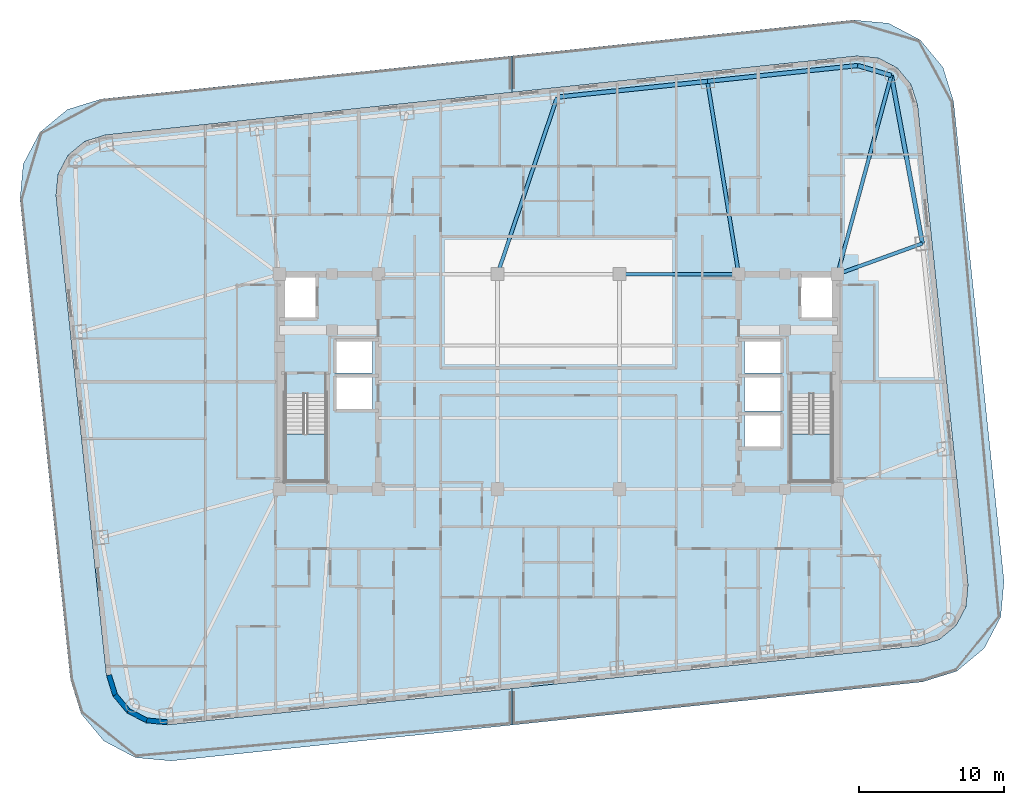
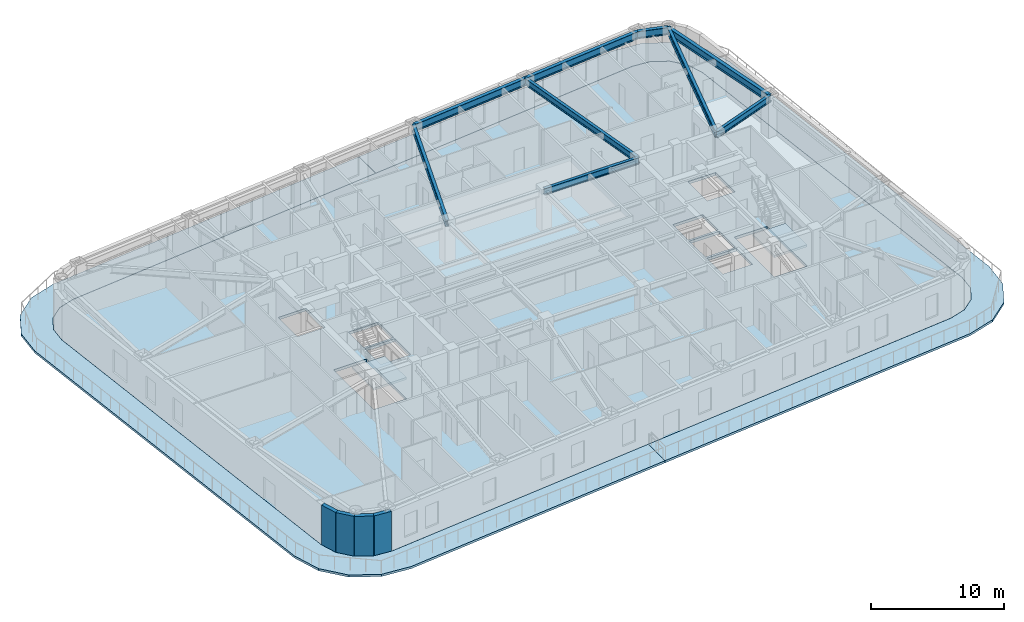
# One storey, part 2 of 15: 9 beams, 5 slabs, 4 walls, 2 elements without a shape of their own.
"""IFC4 building model written with IfcOpenShell, lengths in metres."""

from ifc_helpers import new_model, si_unit, direction, frame, frame_2d, origin, origin_2d, place, context, subcontext, project, spatial, polyline, rectangle, i_section, outline, extrude, material, layer, layer_set, material_profile, profile_set, type_object, element, aggregate, save


model = new_model("IFC4")

# Units and contexts
model_context = context("Model", 3, precision=1e-05, world=origin(), true_north=direction((0.0, 1.0)))
body_context = subcontext(model_context, "Body", "Model", "MODEL_VIEW")
ifc_project = project(units=[si_unit("LENGTHUNIT", "METRE"), si_unit("AREAUNIT", "SQUARE_METRE"), si_unit("VOLUMEUNIT", "CUBIC_METRE"), si_unit("PLANEANGLEUNIT", "RADIAN"), si_unit("MASSUNIT", "GRAM", prefix="KILO")], contexts=[model_context])

# Site, building, storey
site_placement = place(None, origin())
site = spatial("IfcSite", under=ifc_project, at=site_placement, CompositionType="ELEMENT")
building_placement = place(site_placement, origin())
building = spatial("IfcBuilding", under=site, at=building_placement, Name="Voryun Gate Residences", CompositionType="ELEMENT")
storey_placement = place(building_placement, frame((0.0, 0.0, 171.60009765625)))
storey = spatial("IfcBuildingStorey", under=building, at=storey_placement, Name="L42", CompositionType="ELEMENT", Elevation=171.60009765625)

# Beams
ifc_material_1 = material(Name="Steel SM355", Category="steel")
ifc_material_profile_1 = material_profile(ifc_material_1, i_section(OverallWidth=0.300048828125, OverallDepth=0.679931640625, WebThickness=0.013916015625, FlangeThickness=0.02490234375, FilletRadius=0.01806640625, at=origin_2d()), Name="H-680x300x14x25")
ifc_profile_set_1 = profile_set([ifc_material_profile_1], Name="Steel SM355")
beam_type_1 = type_object("IfcBeamType", Name="BM_EXO_SPANDREL_M", PredefinedType="SPANDREL", material=ifc_profile_set_1)
beam_1_placement = place(storey_placement, frame((25.047119140625, 9.51806640625, 3.309814453125), z_axis=(-0.182267768769, 0.983248931079, 0.0), x_axis=(-0.983248931079, -0.182267768769, 0.0)))
element("IfcBeam", 1, at=beam_1_placement, inside=storey, type_object=beam_type_1, Name="BM-L42-SPAND-09", PredefinedType="SPANDREL", context=body_context, shape_type="SweptSolid", body=[
    extrude(i_section(OverallWidth=0.300048828125, OverallDepth=0.679931640625, WebThickness=0.013916015625, FlangeThickness=0.02490234375, FilletRadius=0.01806640625, at=origin_2d()), origin(), (0.0, 0.0, 1.0), 11.753662109375),
])
beam_2_placement = place(storey_placement, frame((22.90478515625, 21.074951171875, 3.309814453125), z_axis=(-0.958843048967, 0.283936625758, 0.0), x_axis=(-0.283936625758, -0.958843048967, 0.0)))
element("IfcBeam", 2, at=beam_2_placement, inside=storey, type_object=beam_type_1, Name="BM-L42-SPAND-10", PredefinedType="SPANDREL", context=body_context, shape_type="SweptSolid", body=[
    extrude(i_section(OverallWidth=0.300048828125, OverallDepth=0.679931640625, WebThickness=0.013916015625, FlangeThickness=0.02490234375, FilletRadius=0.01806640625, at=origin_2d()), origin(), (0.0, 0.0, 1.0), 2.410888671875),
])
for number, where, z_axis, x_axis, name in (
    (3, (20.593017578125, 21.759521484375, 3.309814453125), (-0.994521263116, -0.104534478571, 0.0), (0.104534478571, -0.994521263116, 0.0), "BM-L42-SPAND-11"),
    (4, (10.25, 20.67236328125, 3.309814453125), (-0.99452370336, -0.10451125994, 0.0), (0.10451125994, -0.99452370336, 0.0), "BM-L42-SPAND-12"),
):
    element("IfcBeam", number, at=place(storey_placement, frame(where, z_axis=z_axis, x_axis=x_axis)), inside=storey, type_object=beam_type_1, Name=name, PredefinedType="SPANDREL", context=body_context, shape_type="SweptSolid", body=[
        extrude(i_section(OverallWidth=0.300048828125, OverallDepth=0.679931640625, WebThickness=0.013916015625, FlangeThickness=0.02490234375, FilletRadius=0.01806640625, at=origin_2d()), origin(), (0.0, 0.0, 1.0), 10.39990234375),
    ])
ifc_material_2 = material(Name="Steel SM355", Category="steel")
ifc_material_profile_2 = material_profile(ifc_material_2, i_section(OverallWidth=0.25, OverallDepth=0.60009765625, WebThickness=0.011962890625, FlangeThickness=0.02197265625, FilletRadius=0.01806640625, at=origin_2d()), Name="H-600x250x12x22")
ifc_profile_set_2 = profile_set([ifc_material_profile_2], Name="Steel SM355")
beam_type_2 = type_object("IfcBeamType", Name="BM_GIRD_600", PredefinedType="USERDEFINED", material=ifc_profile_set_2)
beam_3_placement = place(storey_placement, frame((4.199951171875, 7.39990234375, 3.349853515625), z_axis=(1.0, 0.0, 0.0), x_axis=(0.0, 1.0, 0.0)))
element("IfcBeam", 5, at=beam_3_placement, inside=storey, type_object=beam_type_2, Name="BM-L42-SPG3-N", ObjectType="GIRDER", PredefinedType="USERDEFINED", context=body_context, shape_type="SweptSolid", body=[
    extrude(i_section(OverallWidth=0.25, OverallDepth=0.60009765625, WebThickness=0.011962890625, FlangeThickness=0.02197265625, FilletRadius=0.01806640625, at=origin_2d()), origin(), (0.0, 0.0, 1.0), 8.199951171875),
])
beam_4_placement = place(storey_placement, frame((19.199951171875, 7.39990234375, 3.349853515625), z_axis=(0.94020993833, 0.340595466595, 0.0), x_axis=(-0.340595466595, 0.94020993833, 0.0)))
element("IfcBeam", 6, at=beam_4_placement, inside=storey, type_object=beam_type_2, Name="BM-L42-RAD-E2", ObjectType="GIRDER", PredefinedType="USERDEFINED", context=body_context, shape_type="SweptSolid", body=[
    extrude(i_section(OverallWidth=0.25, OverallDepth=0.60009765625, WebThickness=0.011962890625, FlangeThickness=0.02197265625, FilletRadius=0.01806640625, at=origin_2d()), origin(), (0.0, 0.0, 1.0), 6.218994140625),
])
beam_5_placement = place(storey_placement, frame((19.199951171875, 7.39990234375, 3.349853515625), z_axis=(0.261492735838, 0.965205443988, 0.0), x_axis=(-0.965205443988, 0.261492735838, 0.0)))
element("IfcBeam", 7, at=beam_5_placement, inside=storey, type_object=beam_type_2, Name="BM-L42-RAD-CNE", ObjectType="GIRDER", PredefinedType="USERDEFINED", context=body_context, shape_type="SweptSolid", body=[
    extrude(i_section(OverallWidth=0.25, OverallDepth=0.60009765625, WebThickness=0.011962890625, FlangeThickness=0.02197265625, FilletRadius=0.01806640625, at=origin_2d()), origin(), (0.0, 0.0, 1.0), 14.16796875),
])
beam_6_placement = place(storey_placement, frame((12.39990234375, 7.39990234375, 3.349853515625), z_axis=(-0.159898055533, 0.987133532931, 0.0), x_axis=(-0.987133532931, -0.159898055533, 0.0)))
element("IfcBeam", 8, at=beam_6_placement, inside=storey, type_object=beam_type_2, Name="BM-L42-RAD-N2", ObjectType="GIRDER", PredefinedType="USERDEFINED", context=body_context, shape_type="SweptSolid", body=[
    extrude(i_section(OverallWidth=0.25, OverallDepth=0.60009765625, WebThickness=0.011962890625, FlangeThickness=0.02197265625, FilletRadius=0.01806640625, at=origin_2d()), origin(), (0.0, 0.0, 1.0), 13.445556640625),
])
beam_7_placement = place(storey_placement, frame((-4.199951171875, 7.39990234375, 3.349853515625), z_axis=(0.319381479956, 0.947626229197, 0.0), x_axis=(-0.947626229197, 0.319381479956, 0.0)))
element("IfcBeam", 9, at=beam_7_placement, inside=storey, type_object=beam_type_2, Name="BM-L42-RAD-N3", ObjectType="GIRDER", PredefinedType="USERDEFINED", context=body_context, shape_type="SweptSolid", body=[
    extrude(i_section(OverallWidth=0.25, OverallDepth=0.60009765625, WebThickness=0.011962890625, FlangeThickness=0.02197265625, FilletRadius=0.01806640625, at=origin_2d()), origin(), (0.0, 0.0, 1.0), 12.859130859375),
])

# Slabs
ifc_material_3 = material(Name="Concrete C40/50", Category="concrete")
ifc_layer_1 = layer(ifc_material_3, 0.199951171875, Name="SLB_BALCONY_200")
ifc_layer_set_1 = layer_set([ifc_layer_1], Name="Concrete C40/50")
slab_type_1 = type_object("IfcSlabType", Name="SLB_BALCONY_200", PredefinedType="FLOOR", material=ifc_layer_set_1)
slab_1_placement = place(storey_placement, frame((0.0, 0.0, -0.2001953125)))
element("IfcSlab", 10, at=slab_1_placement, inside=storey, type_object=slab_type_1, Name="L42 External Residential Balcony WEST", PredefinedType="FLOOR", context=body_context, shape_type="SweptSolid", body=[
    extrude(outline(polyline([(-29.111572265625, -25.867431640625), (-31.287109375, -24.722900390625), (-32.85888671875, -22.8330078125), (-33.587890625, -20.4853515625), (-37.058349609375, 12.53271484375), (-36.833251953125, 14.980712890625), (-35.688720703125, 17.156005859375), (-33.798828125, 18.727783203125), (-31.451171875, 19.456787109375), (-3.2099609375, 22.425048828125), (-3.2099609375, 19.913330078125), (-31.190185546875, 16.972412109375), (-31.1904296875, 16.972412109375), (-31.1904296875, 16.972412109375), (-32.6064453125, 16.53271484375), (-32.606689453125, 16.53271484375), (-32.60693359375, 16.532470703125), (-32.607177734375, 16.532470703125), (-32.607177734375, 16.532470703125), (-33.7470703125, 15.584228515625), (-33.747314453125, 15.584228515625), (-33.74755859375, 15.583984375), (-33.74755859375, 15.583740234375), (-33.74755859375, 15.583740234375), (-34.43798828125, 14.271484375), (-34.43798828125, 14.271240234375), (-34.438232421875, 14.271240234375), (-34.438232421875, 14.27099609375), (-34.438232421875, 14.270751953125), (-34.573974609375, 12.794189453125), (-34.573974609375, 12.794189453125), (-34.573974609375, 12.7939453125), (-31.103515625, -20.22412109375), (-31.103515625, -20.224365234375), (-31.103515625, -20.224609375), (-30.663818359375, -21.640625), (-30.663818359375, -21.640869140625), (-30.66357421875, -21.640869140625), (-30.66357421875, -21.64111328125), (-30.663330078125, -21.641357421875), (-29.71533203125, -22.78125), (-29.71533203125, -22.781494140625), (-29.715087890625, -22.781494140625), (-29.71484375, -22.78173828125), (-29.71484375, -22.78173828125), (-28.402587890625, -23.47216796875), (-28.40234375, -23.47216796875), (-28.402099609375, -23.47216796875), (-28.402099609375, -23.47216796875), (-28.40185546875, -23.472412109375), (-26.92529296875, -23.60791015625), (-26.92529296875, -23.60791015625), (-26.925048828125, -23.60791015625), (-3.2099609375, -21.115478515625), (-3.2099609375, -23.627197265625), (-26.663818359375, -26.09228515625), (-29.111572265625, -25.867431640625)])), origin(), (0.0, 0.0, 1.0), 0.2001953125),
])
slab_2_placement = place(storey_placement, frame((0.0, 0.0, -0.2001953125)))
element("IfcSlab", 11, at=slab_2_placement, inside=storey, type_object=slab_type_1, Name="L42 External Residential Balcony EAST", PredefinedType="FLOOR", context=body_context, shape_type="SweptSolid", body=[
    extrude(outline(polyline([(20.263916015625, 24.892333984375), (22.711669921875, 24.66748046875), (24.88720703125, 23.522705078125), (26.458984375, 21.6328125), (27.18798828125, 19.285400390625), (30.658203125, -13.73291015625), (30.433349609375, -16.1806640625), (29.288818359375, -18.35595703125), (27.39892578125, -19.927978515625), (25.05126953125, -20.65673828125), (-3.18994140625, -23.625), (-3.18994140625, -21.11328125), (24.7900390625, -18.172607421875), (24.790283203125, -18.17236328125), (24.79052734375, -18.17236328125), (26.20654296875, -17.732666015625), (26.206787109375, -17.732666015625), (26.206787109375, -17.732666015625), (26.20703125, -17.732421875), (26.207275390625, -17.732421875), (27.34716796875, -16.7841796875), (27.347412109375, -16.7841796875), (27.347412109375, -16.783935546875), (27.34765625, -16.783935546875), (27.34765625, -16.78369140625), (28.0380859375, -15.471435546875), (28.0380859375, -15.471435546875), (28.0380859375, -15.47119140625), (28.038330078125, -15.470947265625), (28.038330078125, -15.470703125), (28.173828125, -13.994384765625), (28.173828125, -13.994140625), (28.173828125, -13.993896484375), (24.70361328125, 19.024169921875), (24.70361328125, 19.0244140625), (24.703369140625, 19.024658203125), (24.263916015625, 20.440673828125), (24.263671875, 20.440673828125), (24.263671875, 20.44091796875), (24.263671875, 20.441162109375), (24.263427734375, 20.44140625), (23.3154296875, 21.581298828125), (23.315185546875, 21.581298828125), (23.315185546875, 21.58154296875), (23.31494140625, 21.58154296875), (23.314697265625, 21.581787109375), (22.002685546875, 22.27197265625), (22.00244140625, 22.272216796875), (22.002197265625, 22.272216796875), (22.001953125, 22.272216796875), (22.001953125, 22.272216796875), (20.525390625, 22.407958984375), (20.525146484375, 22.407958984375), (20.52490234375, 22.407958984375), (-3.18994140625, 19.91552734375), (-3.18994140625, 22.42724609375), (20.263916015625, 24.892333984375)])), origin(), (0.0, 0.0, 1.0), 0.2001953125),
])
ifc_material_4 = material(Name="Concrete C40/50", Category="concrete")
ifc_layer_2 = layer(ifc_material_4, 0.25, Name="SLB_RES_250")
ifc_layer_set_2 = layer_set([ifc_layer_2], Name="Concrete C40/50")
slab_type_2 = type_object("IfcSlabType", Name="SLB_RES_250", PredefinedType="FLOOR", material=ifc_layer_set_2)
slab_3_placement = place(storey_placement, frame((0.0, 0.0, -0.25)))
element("IfcSlab", 12, at=slab_3_placement, inside=storey, type_object=slab_type_2, Name="L42 Structural Floor Slab", PredefinedType="FLOOR", context=body_context, shape_type="SweptSolid", body=[
    extrude(outline(polyline([(-26.92529296875, -23.60595703125), (-28.401611328125, -23.47021484375), (-29.7138671875, -22.780029296875), (-30.661865234375, -21.639892578125), (-31.1015625, -20.22412109375), (-34.572021484375, 12.794189453125), (-34.436279296875, 14.2705078125), (-33.745849609375, 15.582763671875), (-32.60595703125, 16.53076171875), (-31.18994140625, 16.970458984375), (20.525146484375, 22.406005859375), (22.001708984375, 22.270263671875), (23.313720703125, 21.580078125), (24.261962890625, 20.43994140625), (24.70166015625, 19.02392578125), (28.171875, -13.994140625), (28.036376953125, -15.470458984375), (27.345947265625, -16.78271484375), (26.2060546875, -17.730712890625), (24.7900390625, -18.17041015625), (-26.92529296875, -23.60595703125)]), holes=[polyline([(-15.97509765625, -6.85009765625), (-15.97509765625, -0.840087890625), (-18.824951171875, -0.840087890625), (-18.824951171875, -6.85009765625), (-15.97509765625, -6.85009765625)]), polyline([(18.824951171875, -6.85009765625), (18.824951171875, -0.840087890625), (15.97509765625, -0.840087890625), (15.97509765625, -6.85009765625), (18.824951171875, -6.85009765625)]), polyline([(15.39990234375, -2.199951171875), (12.800048828125, -2.199951171875), (12.800048828125, -4.60009765625), (15.39990234375, -4.60009765625), (15.39990234375, -2.199951171875)]), polyline([(-12.800048828125, 0.39990234375), (-15.39990234375, 0.39990234375), (-15.39990234375, -2.0), (-12.800048828125, -2.0), (-12.800048828125, 0.39990234375)]), polyline([(15.39990234375, 0.39990234375), (12.800048828125, 0.39990234375), (12.800048828125, -2.0), (15.39990234375, -2.0), (15.39990234375, 0.39990234375)]), polyline([(-12.800048828125, 2.89990234375), (-15.39990234375, 2.89990234375), (-15.39990234375, 0.60009765625), (-12.800048828125, 0.60009765625), (-12.800048828125, 2.89990234375)]), polyline([(15.39990234375, 2.89990234375), (12.800048828125, 2.89990234375), (12.800048828125, 0.60009765625), (15.39990234375, 0.60009765625), (15.39990234375, 2.89990234375)]), polyline([(-16.60009765625, 4.300048828125), (-16.60009765625, 7.199951171875), (-19.0, 7.199951171875), (-19.0, 4.300048828125), (-16.60009765625, 4.300048828125)]), polyline([(19.0, 4.300048828125), (19.0, 7.199951171875), (16.60009765625, 7.199951171875), (16.60009765625, 4.300048828125), (19.0, 4.300048828125)])]), origin(), (0.0, 0.0, 1.0), 0.25),
])

# Stair, slab
ifc_material_5 = material(Name="Concrete C40/50", Category="concrete")
stair_type = type_object("IfcStairType", Name="STR_CORE_DOGLEG_1350", PredefinedType="HALF_TURN_STAIR", material=ifc_material_5)
stair_1_placement = place(storey_placement, origin())
stair_1 = element("IfcStair", 13, at=stair_1_placement, inside=storey, type_object=stair_type, Name="L42 Special Escape Stair ST-W1", PredefinedType="HALF_TURN_STAIR")
ifc_material_6 = material(Name="Concrete C40/50", Category="concrete")
ifc_layer_3 = layer(ifc_material_6, 0.199951171875, Name="SLB_STAIR_LANDING_200")
ifc_layer_set_3 = layer_set([ifc_layer_3], Name="Concrete C40/50")
slab_type_3 = type_object("IfcSlabType", Name="SLB_STAIR_LANDING_200", PredefinedType="LANDING", material=ifc_layer_set_3)
slab_4_placement = place(storey_placement, frame((0.0, 0.0, 1.75)))
slab_4 = element("IfcSlab", 14, at=slab_4_placement, type_object=slab_type_3, Name="ST-W1 landing 1", PredefinedType="LANDING", context=body_context, shape_type="SweptSolid", body=[
    extrude(outline(polyline([(-18.824951171875, -3.60009765625), (-18.824951171875, -6.85009765625), (-15.97509765625, -6.85009765625), (-15.97509765625, -3.60009765625), (-18.824951171875, -3.60009765625)])), origin(), (0.0, 0.0, 1.0), 0.199951171875),
])
aggregate(stair_1, [slab_4])

stair_2_placement = place(storey_placement, origin())
stair_2 = element("IfcStair", 15, at=stair_2_placement, inside=storey, type_object=stair_type, Name="L42 Special Escape Stair ST-E1", PredefinedType="HALF_TURN_STAIR")
slab_5_placement = place(storey_placement, frame((0.0, 0.0, 1.75)))
slab_5 = element("IfcSlab", 16, at=slab_5_placement, type_object=slab_type_3, Name="ST-E1 landing 1", PredefinedType="LANDING", context=body_context, shape_type="SweptSolid", body=[
    extrude(outline(polyline([(15.97509765625, -3.60009765625), (15.97509765625, -6.85009765625), (18.824951171875, -6.85009765625), (18.824951171875, -3.60009765625), (15.97509765625, -3.60009765625)])), origin(), (0.0, 0.0, 1.0), 0.199951171875),
])
aggregate(stair_2, [slab_5])

# Walls
ifc_material_7 = material(Name="Charcoal terracotta masonry", Category="masonry")
ifc_layer_4 = layer(ifc_material_7, 0.340087890625, Name="W_EXT_TERRACOTTA_340")
ifc_layer_set_4 = layer_set([ifc_layer_4], Name="Charcoal terracotta masonry")
wall_type = type_object("IfcWallType", Name="W_EXT_TERRACOTTA_340", PredefinedType="ELEMENTEDWALL", material=ifc_layer_set_4)
wall_1_placement = place(storey_placement, frame((-26.92626953125, -23.435302734375, 0.0), z_axis=(0.0, 0.0, 1.0), x_axis=(-0.995800460351, 0.091550222087, 0.0)))
element("IfcWall", 17, at=wall_1_placement, inside=storey, type_object=wall_type, Name="Exterior wall WEXT-L42-02", PredefinedType="ELEMENTEDWALL", context=body_context, shape_type="SweptSolid", body=[
    extrude(rectangle(XDim=1.43212890625, YDim=0.340087890625, at=frame_2d((0.716064453125, 0.0))), origin(), (0.0, 0.0, 1.0), 3.64990234375),
])
wall_2_placement = place(storey_placement, frame((-28.352294921875, -23.30419921875, 0.0), z_axis=(0.0, 0.0, 1.0), x_axis=(-0.884989312682, 0.465611336243, 0.0)))
element("IfcWall", 18, at=wall_2_placement, inside=storey, type_object=wall_type, Name="Exterior wall WEXT-L42-03", PredefinedType="ELEMENTEDWALL", context=body_context, shape_type="SweptSolid", body=[
    extrude(rectangle(XDim=1.415283203125, YDim=0.340087890625, at=frame_2d((0.70751953125, 0.0))), origin(), (0.0, 0.0, 1.0), 3.64990234375),
])
wall_3_placement = place(storey_placement, frame((-29.604736328125, -22.645263671875, 0.0), z_axis=(0.0, 0.0, 1.0), x_axis=(-0.639437361921, 0.768843196093, 0.0)))
element("IfcWall", 19, at=wall_3_placement, inside=storey, type_object=wall_type, Name="Exterior wall WEXT-L42-04", PredefinedType="ELEMENTEDWALL", context=body_context, shape_type="SweptSolid", body=[
    extrude(rectangle(XDim=1.4150390625, YDim=0.340087890625, at=frame_2d((0.70751953125, 0.0))), origin(), (0.0, 0.0, 1.0), 3.64990234375),
])
wall_4_placement = place(storey_placement, frame((-30.509521484375, -21.557373046875, 0.0), z_axis=(0.0, 0.0, 1.0), x_axis=(-0.296624409546, 0.9549942197, 0.0)))
element("IfcWall", 20, at=wall_4_placement, inside=storey, type_object=wall_type, Name="Exterior wall WEXT-L42-05", PredefinedType="ELEMENTEDWALL", context=body_context, shape_type="SweptSolid", body=[
    extrude(rectangle(XDim=1.43212890625, YDim=0.340087890625, at=frame_2d((0.716064453125, 0.0))), origin(), (0.0, 0.0, 1.0), 3.64990234375),
])

save(model, "model.ifc")
